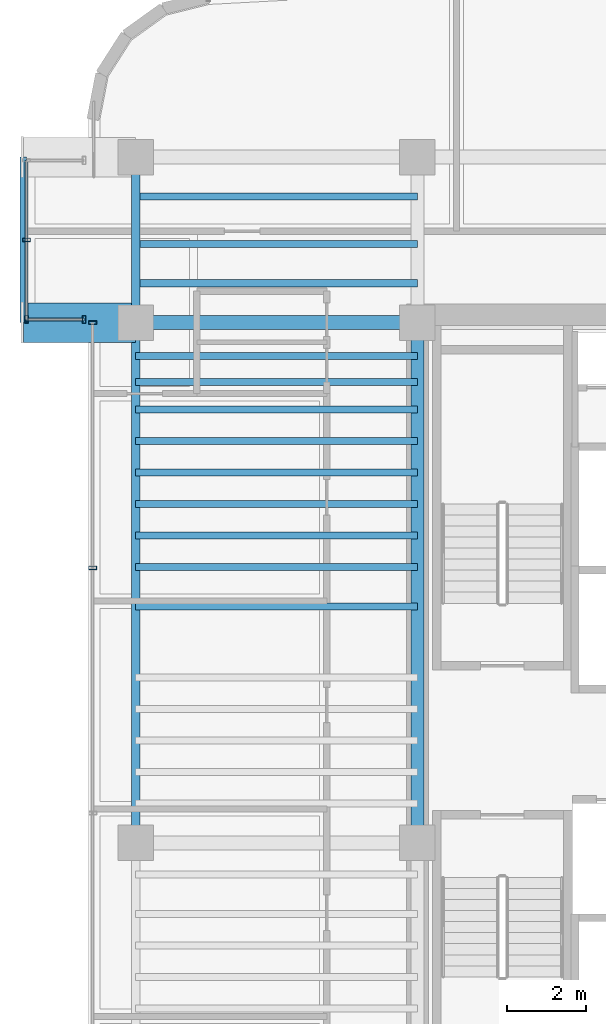
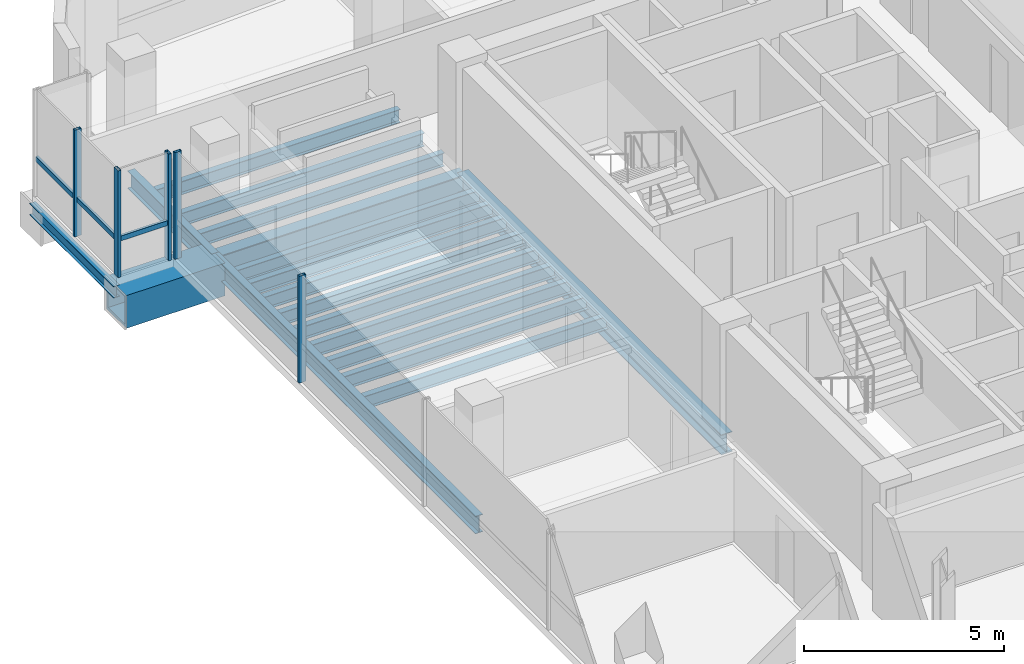
# One storey, part 8 of 21: 18 beams, 7 members, 3 elements without a shape of their own.
"""IFC4 building model written with IfcOpenShell, lengths in metres."""

from ifc_helpers import new_model, si_unit, direction, frame, origin, origin_2d, place, context, subcontext, project, spatial, hollow_rectangle, i_section, extrude, source, transform, mapped, material, material_profile, profile_set, type_object, element, aggregate, save


model = new_model("IFC4")

# Units and contexts
model_context = context("Model", 3, precision=1e-05, world=origin(), true_north=direction((0.0, 1.0)))
body_context = subcontext(model_context, "Body", "Model", "MODEL_VIEW")
ifc_project = project(units=[si_unit("LENGTHUNIT", "METRE"), si_unit("AREAUNIT", "SQUARE_METRE"), si_unit("VOLUMEUNIT", "CUBIC_METRE"), si_unit("PLANEANGLEUNIT", "RADIAN"), si_unit("MASSUNIT", "GRAM", prefix="KILO")], contexts=[model_context])

# Site, building, storey
site_placement = place(None, origin())
site = spatial("IfcSite", under=ifc_project, at=site_placement, CompositionType="ELEMENT")
building_placement = place(site_placement, origin())
building = spatial("IfcBuilding", under=site, at=building_placement, Name="Valdorenza Pilgrim Sanctuary Tower", CompositionType="ELEMENT")
storey_placement = place(building_placement, frame((0.0, 0.0, 223.0)))
storey = spatial("IfcBuildingStorey", under=building, at=storey_placement, Name="L57", CompositionType="ELEMENT", Elevation=223.0)

# Beams
ifc_material_1 = material(Name="Steel ASTM A992 Grade 50", Category="steel")
ifc_material_profile_1 = material_profile(ifc_material_1, i_section(OverallWidth=0.323974609375, OverallDepth=0.611083984375, WebThickness=0.0126953125, FlangeThickness=0.01904296875, at=origin_2d()), Name="W24X104")
ifc_profile_set_1 = profile_set([ifc_material_profile_1], Name="Steel ASTM A992 Grade 50")
beam_type_1 = type_object("IfcBeamType", Name="STR-BM-GRD-W24B", PredefinedType="BEAM", material=ifc_profile_set_1)
shared_shape_1 = source(origin(), body_context, "Body", "SweptSolid", [
    extrude(i_section(OverallWidth=0.323974609375, OverallDepth=0.611083984375, WebThickness=0.0126953125, FlangeThickness=0.01904296875, at=origin_2d()), origin(), (0.0, 0.0, 1.0), 13.2001953125),
])
beam_1_placement = place(storey_placement, frame((-22.64990234375, -2.60009765625, -0.54541015625), z_axis=(0.0, 1.0, 0.0), x_axis=(-1.0, 0.0, 0.0)))
element("IfcBeam", 1, at=beam_1_placement, inside=storey, type_object=beam_type_1, Name="L57 Core Tie Girder CA-W-M0N1", PredefinedType="BEAM", context=body_context, shape_type="MappedRepresentation", body=[
    mapped(shared_shape_1, transform((0.0, 0.0, 0.0), x_axis=(1.0, 0.0, 0.0), y_axis=(0.0, 1.0, 0.0), z_axis=(0.0, 0.0, 1.0), scale=1.0)),
])
ifc_material_profile_2 = material_profile(ifc_material_1, i_section(OverallWidth=0.1708984375, OverallDepth=0.35107421875, WebThickness=0.0068359375, FlangeThickness=0.009765625, at=origin_2d()), Name="W14X30")
ifc_profile_set_2 = profile_set([ifc_material_profile_2], Name="Steel ASTM A992 Grade 50")
beam_type_2 = type_object("IfcBeamType", Name="STR-BM-BOX-W14", PredefinedType="BEAM", material=ifc_profile_set_2)
shared_shape_2 = source(origin(), body_context, "Body", "SweptSolid", [
    extrude(i_section(OverallWidth=0.1708984375, OverallDepth=0.35107421875, WebThickness=0.0068359375, FlangeThickness=0.009765625, at=origin_2d()), origin(), (0.0, 0.0, 1.0), 4.199951171875),
])
beam_2_placement = place(storey_placement, frame((-32.64990234375, 10.60009765625, -0.41552734375), z_axis=(0.0, 1.0, 0.0), x_axis=(-1.0, 0.0, 0.0)))
element("IfcBeam", 2, at=beam_2_placement, inside=storey, type_object=beam_type_2, Name="L57 Glass Box Edge Beam BOX-WA-L57-F", PredefinedType="BEAM", context=body_context, shape_type="MappedRepresentation", body=[
    mapped(shared_shape_2, transform((0.0, 0.0, 0.0), x_axis=(1.0, 0.0, 0.0), y_axis=(0.0, 1.0, 0.0), z_axis=(0.0, 0.0, 1.0), scale=1.0)),
])
ifc_material_2 = material(Name="Steel ASTM A572 Grade 42", Category="steel")
ifc_material_profile_3 = material_profile(ifc_material_2, hollow_rectangle(XDim=1.0, YDim=1.0, WallThickness=0.080078125, at=origin_2d()), Name="BOX 1000x1000x80")
ifc_profile_set_3 = profile_set([ifc_material_profile_3], Name="Steel ASTM A572 Grade 42")
beam_type_3 = type_object("IfcBeamType", Name="STR-BM-PROW-CANT", PredefinedType="BEAM", material=ifc_profile_set_3)
shared_shape_3 = source(origin(), body_context, "Body", "SweptSolid", [
    extrude(hollow_rectangle(XDim=1.0, YDim=1.0, WallThickness=0.080078125, at=origin_2d()), origin(), (0.0, 0.0, 1.0), 2.849853515625),
])
beam_3_placement = place(storey_placement, frame((-29.800048828125, 10.60009765625, -0.739990234375), z_axis=(-1.0, 0.0, 0.0), x_axis=(0.0, -1.0, 0.0)))
element("IfcBeam", 3, at=beam_3_placement, inside=storey, type_object=beam_type_3, Name="L57 Glass Box Cantilever Beam BOX-WA-L57-CT-S", PredefinedType="BEAM", context=body_context, shape_type="MappedRepresentation", body=[
    mapped(shared_shape_3, transform((0.0, 0.0, 0.0), x_axis=(1.0, 0.0, 0.0), y_axis=(0.0, 1.0, 0.0), z_axis=(0.0, 0.0, 1.0), scale=1.0)),
])
ifc_material_profile_4 = material_profile(ifc_material_1, i_section(OverallWidth=0.2109375, OverallDepth=0.5390625, WebThickness=0.01171875, FlangeThickness=0.018798828125, at=origin_2d()), Name="W21X73")
ifc_profile_set_4 = profile_set([ifc_material_profile_4], Name="Steel ASTM A992 Grade 50")
beam_type_4 = type_object("IfcBeamType", Name="STR-BM-SPN-W21B", PredefinedType="SPANDREL", material=ifc_profile_set_4)
shared_shape_4 = source(origin(), body_context, "Body", "SweptSolid", [
    extrude(i_section(OverallWidth=0.2109375, OverallDepth=0.5390625, WebThickness=0.01171875, FlangeThickness=0.018798828125, at=origin_2d()), origin(), (0.0, 0.0, 1.0), 13.2001953125),
])
beam_4_placement = place(storey_placement, frame((-29.800048828125, -2.60009765625, -0.509521484375), z_axis=(0.0, 1.0, 0.0), x_axis=(-1.0, 0.0, 0.0)))
element("IfcBeam", 4, at=beam_4_placement, inside=storey, type_object=beam_type_4, Name="L57 Spandrel Beam WA-W-M0N1", PredefinedType="SPANDREL", context=body_context, shape_type="MappedRepresentation", body=[
    mapped(shared_shape_4, transform((0.0, 0.0, 0.0), x_axis=(1.0, 0.0, 0.0), y_axis=(0.0, 1.0, 0.0), z_axis=(0.0, 0.0, 1.0), scale=1.0)),
])
shared_shape_5 = source(origin(), body_context, "Body", "SweptSolid", [
    extrude(i_section(OverallWidth=0.2109375, OverallDepth=0.5390625, WebThickness=0.01171875, FlangeThickness=0.018798828125, at=origin_2d()), origin(), (0.0, 0.0, 1.0), 4.199951171875),
])
beam_5_placement = place(storey_placement, frame((-29.800048828125, 10.60009765625, -0.509521484375), z_axis=(0.0, 1.0, 0.0), x_axis=(-1.0, 0.0, 0.0)))
element("IfcBeam", 5, at=beam_5_placement, inside=storey, type_object=beam_type_4, Name="L57 Spandrel Beam WA-W-N1N2", PredefinedType="SPANDREL", context=body_context, shape_type="MappedRepresentation", body=[
    mapped(shared_shape_5, transform((0.0, 0.0, 0.0), x_axis=(1.0, 0.0, 0.0), y_axis=(0.0, 1.0, 0.0), z_axis=(0.0, 0.0, 1.0), scale=1.0)),
])
ifc_material_profile_5 = material_profile(ifc_material_1, i_section(OverallWidth=0.35595703125, OverallDepth=0.700927734375, WebThickness=0.016845703125, FlangeThickness=0.02734375, at=origin_2d()), Name="W27X161")
ifc_profile_set_5 = profile_set([ifc_material_profile_5], Name="Steel ASTM A992 Grade 50")
beam_type_5 = type_object("IfcBeamType", Name="STR-BM-GRD-W27", PredefinedType="BEAM", material=ifc_profile_set_5)
shared_shape_6 = source(origin(), body_context, "Body", "SweptSolid", [
    extrude(i_section(OverallWidth=0.35595703125, OverallDepth=0.700927734375, WebThickness=0.016845703125, FlangeThickness=0.02734375, at=origin_2d()), origin(), (0.0, 0.0, 1.0), 7.150146484375),
])
beam_6_placement = place(storey_placement, frame((-29.800048828125, 10.60009765625, -0.590576171875), z_axis=(1.0, 0.0, 0.0), x_axis=(0.0, 1.0, 0.0)))
element("IfcBeam", 6, at=beam_6_placement, inside=storey, type_object=beam_type_5, Name="L57 Floor Girder WA-XW-N1", PredefinedType="BEAM", context=body_context, shape_type="MappedRepresentation", body=[
    mapped(shared_shape_6, transform((0.0, 0.0, 0.0), x_axis=(1.0, 0.0, 0.0), y_axis=(0.0, 1.0, 0.0), z_axis=(0.0, 0.0, 1.0), scale=1.0)),
])
ifc_material_profile_6 = material_profile(ifc_material_1, i_section(OverallWidth=0.177978515625, OverallDepth=0.406005859375, WebThickness=0.0078125, FlangeThickness=0.0126953125, at=origin_2d()), Name="W16X40")
ifc_profile_set_6 = profile_set([ifc_material_profile_6], Name="Steel ASTM A992 Grade 50")
beam_type_6 = type_object("IfcBeamType", Name="STR-BM-JST-W16", PredefinedType="JOIST", material=ifc_profile_set_6)
shared_shape_7 = source(origin(), body_context, "Body", "SweptSolid", [
    extrude(i_section(OverallWidth=0.177978515625, OverallDepth=0.406005859375, WebThickness=0.0078125, FlangeThickness=0.0126953125, at=origin_2d()), origin(), (0.0, 0.0, 1.0), 7.150146484375),
])
for number, where, z_axis, x_axis, name in (
    (7, (-29.800048828125, 3.39990234375, -0.443115234375), (1.0, 0.0, 0.0), (0.0, 1.0, 0.0), "L57 Composite Floor Joist JST-WA-15"),
    (8, (-29.800048828125, 4.39990234375, -0.443115234375), (1.0, 0.0, 0.0), (0.0, 1.0, 0.0), "L57 Composite Floor Joist JST-WA-16"),
    (9, (-29.800048828125, 5.199951171875, -0.443115234375), (1.0, 0.0, 0.0), (0.0, 1.0, 0.0), "L57 Composite Floor Joist JST-WA-17"),
    (10, (-29.800048828125, 6.0, -0.443115234375), (1.0, 0.0, 0.0), (0.0, 1.0, 0.0), "L57 Composite Floor Joist JST-WA-18"),
    (11, (-29.800048828125, 6.800048828125, -0.443115234375), (1.0, 0.0, 0.0), (0.0, 1.0, 0.0), "L57 Composite Floor Joist JST-WA-19"),
    (12, (-29.800048828125, 7.60009765625, -0.443115234375), (1.0, 0.0, 0.0), (0.0, 1.0, 0.0), "L57 Composite Floor Joist JST-WA-20"),
    (13, (-29.800048828125, 8.39990234375, -0.443115234375), (1.0, 0.0, 0.0), (0.0, 1.0, 0.0), "L57 Composite Floor Joist JST-WA-21"),
    (14, (-29.800048828125, 9.10009765625, -0.443115234375), (1.0, 0.0, 0.0), (0.0, 1.0, 0.0), "L57 Composite Floor Joist JST-WA-22"),
    (15, (-29.800048828125, 9.75, -0.443115234375), (1.0, 0.0, 0.0), (0.0, 1.0, 0.0), "L57 Composite Floor Joist JST-WA-23"),
    (16, (-29.800048828125, 11.60009765625, -0.443115234375), (1.0, 0.0, 0.0), (0.0, 1.0, 0.0), "L57 Composite Floor Joist JST-WA-24"),
    (17, (-29.800048828125, 12.60009765625, -0.443115234375), (1.0, 0.0, 0.0), (0.0, 1.0, 0.0), "L57 Composite Floor Joist JST-WA-25"),
    (18, (-29.800048828125, 13.800048828125, -0.443115234375), (1.0, 0.0, 0.0), (0.0, 1.0, 0.0), "L57 Composite Floor Joist JST-WA-26"),
):
    element("IfcBeam", number, at=place(storey_placement, frame(where, z_axis=z_axis, x_axis=x_axis)), inside=storey, type_object=beam_type_6, Name=name, PredefinedType="JOIST", context=body_context, shape_type="MappedRepresentation", body=[
        mapped(shared_shape_7, transform((0.0, 0.0, 0.0), x_axis=(1.0, 0.0, 0.0), y_axis=(0.0, 1.0, 0.0), z_axis=(0.0, 0.0, 1.0), scale=1.0)),
    ])

# Curtain wall, member
ifc_material_3 = material(Name="Curtain-wall IGU glazing", Category="glass")
curtain_wall_type = type_object("IfcCurtainWallType", Name="CW-SYS-02", PredefinedType="NOTDEFINED", material=ifc_material_3)
curtain_wall_1_placement = place(storey_placement, origin())
curtain_wall_1 = element("IfcCurtainWall", 19, at=curtain_wall_1_placement, inside=storey, type_object=curtain_wall_type, Name="L57 Curtain Wall CW-L57-BOX-WA-L57-S", PredefinedType="NOTDEFINED")
ifc_material_4 = material(Name="Anodised aluminium AW-6060", Category="aluminium")
ifc_material_profile_7 = material_profile(ifc_material_4, hollow_rectangle(XDim=0.074951171875, YDim=0.14990234375, WallThickness=0.00390625, at=origin_2d()), Name="ALU-T 150x75x4")
ifc_profile_set_7 = profile_set([ifc_material_profile_7], Name="Anodised aluminium AW-6060")
member_type_1 = type_object("IfcMemberType", Name="CW-TRN-02", PredefinedType="USERDEFINED", material=ifc_profile_set_7)
shared_shape_8 = source(origin(), body_context, "Body", "SweptSolid", [
    extrude(hollow_rectangle(XDim=0.074951171875, YDim=0.14990234375, WallThickness=0.00390625, at=origin_2d()), origin(), (0.0, 0.0, 1.0), 1.4599609375),
])
member_1_placement = place(storey_placement, frame((-31.110107421875, 10.679931640625, 1.1201171875), z_axis=(-1.0, 0.0, 0.0), x_axis=(0.0, -1.0, 0.0)))
member_1 = element("IfcMember", 20, at=member_1_placement, type_object=member_type_1, Name="CW-L57-BOX-WA-L57-S Transom 1", ObjectType="TRANSOM", PredefinedType="USERDEFINED", context=body_context, shape_type="MappedRepresentation", body=[
    mapped(shared_shape_8, transform((0.0, 0.0, 0.0), x_axis=(1.0, 0.0, 0.0), y_axis=(0.0, 1.0, 0.0), z_axis=(0.0, 0.0, 1.0), scale=1.0)),
])

curtain_wall_2_placement = place(storey_placement, origin())
curtain_wall_2 = element("IfcCurtainWall", 21, at=curtain_wall_2_placement, inside=storey, type_object=curtain_wall_type, Name="L57 Curtain Wall CW-L57-BOX-WA-L57-F", PredefinedType="NOTDEFINED")
shared_shape_9 = source(origin(), body_context, "Body", "SweptSolid", [
    extrude(hollow_rectangle(XDim=0.074951171875, YDim=0.14990234375, WallThickness=0.00390625, at=origin_2d()), origin(), (0.0, 0.0, 1.0), 4.0400390625),
])
member_2_placement = place(storey_placement, frame((-32.570068359375, 10.679931640625, 1.1201171875), z_axis=(0.0, 1.0, 0.0), x_axis=(-1.0, 0.0, 0.0)))
member_2 = element("IfcMember", 22, at=member_2_placement, type_object=member_type_1, Name="CW-L57-BOX-WA-L57-F Transom 1", ObjectType="TRANSOM", PredefinedType="USERDEFINED", context=body_context, shape_type="MappedRepresentation", body=[
    mapped(shared_shape_9, transform((0.0, 0.0, 0.0), x_axis=(1.0, 0.0, 0.0), y_axis=(0.0, 1.0, 0.0), z_axis=(0.0, 0.0, 1.0), scale=1.0)),
])

# Curtain wall, members
curtain_wall_3_placement = place(storey_placement, origin())
curtain_wall_3 = element("IfcCurtainWall", 23, at=curtain_wall_3_placement, inside=storey, type_object=curtain_wall_type, Name="L57 Curtain Wall CW-L57-1-1S1", PredefinedType="NOTDEFINED")
ifc_material_profile_8 = material_profile(ifc_material_4, hollow_rectangle(XDim=0.0849609375, YDim=0.199951171875, WallThickness=0.0048828125, at=origin_2d()), Name="ALU-M 200x85x5")
ifc_profile_set_8 = profile_set([ifc_material_profile_8], Name="Anodised aluminium AW-6060")
member_type_2 = type_object("IfcMemberType", Name="CW-MUL-02", PredefinedType="MULLION", material=ifc_profile_set_8)
shared_shape_10 = source(origin(), body_context, "Body", "SweptSolid", [
    extrude(hollow_rectangle(XDim=0.0849609375, YDim=0.199951171875, WallThickness=0.0048828125, at=origin_2d()), origin(), (0.0, 0.0, 1.0), 3.260009765625),
])
member_3_placement = place(storey_placement, frame((-30.889892578125, 4.377685546875, 0.0), z_axis=(0.0, 0.0, 1.0), x_axis=(0.0, 1.0, 0.0)))
member_3 = element("IfcMember", 24, at=member_3_placement, type_object=member_type_2, Name="CW-L57-1-1S1 Mullion 4", PredefinedType="MULLION", context=body_context, shape_type="MappedRepresentation", body=[
    mapped(shared_shape_10, transform((0.0, 0.0, 0.0), x_axis=(1.0, 0.0, 0.0), y_axis=(0.0, 1.0, 0.0), z_axis=(0.0, 0.0, 1.0), scale=1.0)),
])
member_4_placement = place(storey_placement, frame((-30.889892578125, 10.60009765625, 0.0), z_axis=(0.0, 0.0, 1.0), x_axis=(0.0, 1.0, 0.0)))
member_4 = element("IfcMember", 25, at=member_4_placement, type_object=member_type_2, Name="CW-L57-1-1S1 Mullion 5", PredefinedType="MULLION", context=body_context, shape_type="MappedRepresentation", body=[
    mapped(shared_shape_10, transform((0.0, 0.0, 0.0), x_axis=(1.0, 0.0, 0.0), y_axis=(0.0, 1.0, 0.0), z_axis=(0.0, 0.0, 1.0), scale=1.0)),
])
aggregate(curtain_wall_3, [member_3, member_4])

# Member
member_5_placement = place(storey_placement, frame((-31.110107421875, 10.679931640625, 0.0), z_axis=(0.0, 0.0, 1.0), x_axis=(-1.0, 0.0, 0.0)))
member_5 = element("IfcMember", 26, at=member_5_placement, type_object=member_type_2, Name="CW-L57-BOX-WA-L57-S Mullion 1", PredefinedType="MULLION", context=body_context, shape_type="MappedRepresentation", body=[
    mapped(shared_shape_10, transform((0.0, 0.0, 0.0), x_axis=(1.0, 0.0, 0.0), y_axis=(0.0, 1.0, 0.0), z_axis=(0.0, 0.0, 1.0), scale=1.0)),
])

member_6_placement = place(storey_placement, frame((-32.570068359375, 10.679931640625, 0.0), z_axis=(0.0, 0.0, 1.0), x_axis=(-1.0, 0.0, 0.0)))
member_6 = element("IfcMember", 27, at=member_6_placement, type_object=member_type_2, Name="CW-L57-BOX-WA-L57-S Mullion 2", PredefinedType="MULLION", context=body_context, shape_type="MappedRepresentation", body=[
    mapped(shared_shape_10, transform((0.0, 0.0, 0.0), x_axis=(1.0, 0.0, 0.0), y_axis=(0.0, 1.0, 0.0), z_axis=(0.0, 0.0, 1.0), scale=1.0)),
])

aggregate(curtain_wall_1, [member_5, member_6, member_1])

member_7_placement = place(storey_placement, frame((-32.570068359375, 12.699951171875, 0.0), z_axis=(0.0, 0.0, 1.0), x_axis=(0.0, 1.0, 0.0)))
member_7 = element("IfcMember", 28, at=member_7_placement, type_object=member_type_2, Name="CW-L57-BOX-WA-L57-F Mullion 2", PredefinedType="MULLION", context=body_context, shape_type="MappedRepresentation", body=[
    mapped(shared_shape_10, transform((0.0, 0.0, 0.0), x_axis=(1.0, 0.0, 0.0), y_axis=(0.0, 1.0, 0.0), z_axis=(0.0, 0.0, 1.0), scale=1.0)),
])

aggregate(curtain_wall_2, [member_7, member_2])

save(model, "model.ifc")
